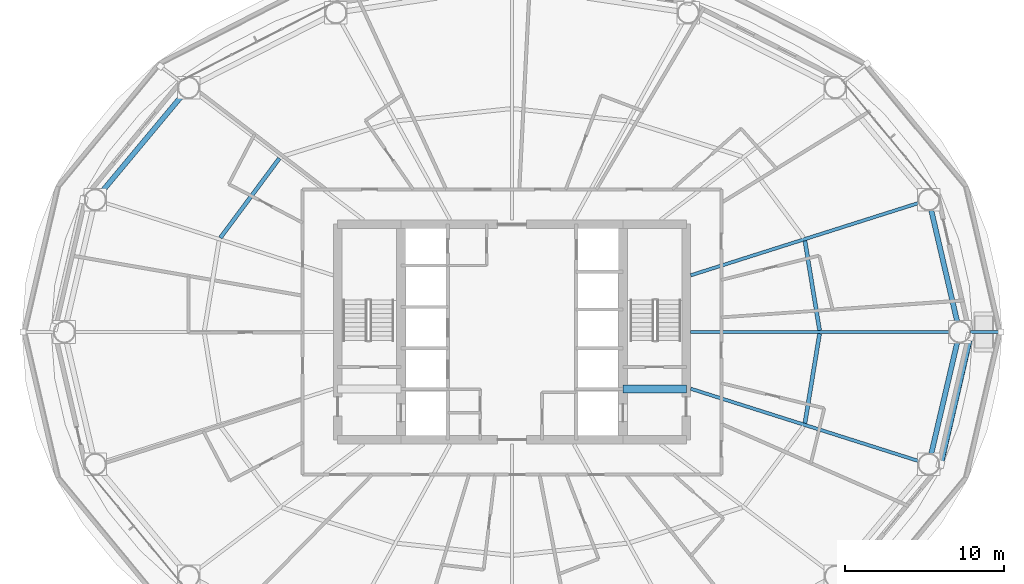
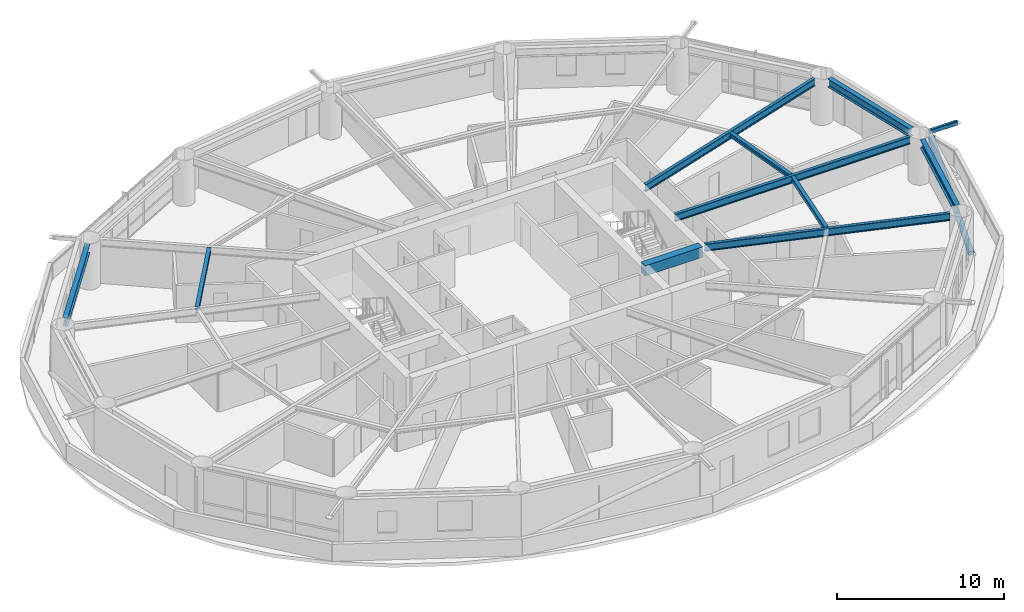
# One storey, part 7 of 25: 10 beams, 2 members.
"""IFC4 building model written with IfcOpenShell, lengths in metres."""

from ifc_helpers import new_model, si_unit, direction, frame, origin, origin_2d, place, context, subcontext, project, spatial, rectangle, hollow_rectangle, hollow_circle, i_section, extrude, material, material_profile, profile_set, type_object, element, save


model = new_model("IFC4")

# Units and contexts
model_context = context("Model", 3, precision=1e-05, world=origin(), true_north=direction((0.0, 1.0)))
body_context = subcontext(model_context, "Body", "Model", "MODEL_VIEW")
ifc_project = project(units=[si_unit("LENGTHUNIT", "METRE"), si_unit("AREAUNIT", "SQUARE_METRE"), si_unit("VOLUMEUNIT", "CUBIC_METRE"), si_unit("PLANEANGLEUNIT", "RADIAN"), si_unit("MASSUNIT", "GRAM", prefix="KILO")], contexts=[model_context])

# Site, building, storey
site_placement = place(None, origin())
site = spatial("IfcSite", under=ifc_project, at=site_placement, CompositionType="ELEMENT")
building_placement = place(site_placement, origin())
building = spatial("IfcBuilding", under=site, at=building_placement, Name="Sarneth Arch Tower", CompositionType="ELEMENT")
storey_placement = place(building_placement, frame((0.0, 0.0, 84.0)))
storey = spatial("IfcBuildingStorey", under=building, at=storey_placement, Name="L20", CompositionType="ELEMENT", Elevation=84.0)

# Beams
ifc_material_1 = material(Name="Steel S355", Category="steel")
ifc_material_profile_1 = material_profile(ifc_material_1, i_section(OverallWidth=0.25390625, OverallDepth=0.305908203125, WebThickness=0.0087890625, FlangeThickness=0.0146484375, FilletRadius=0.014892578125, at=origin_2d()), Name="W310x79")
ifc_profile_set_1 = profile_set([ifc_material_profile_1], Name="Steel S355")
beam_type_1 = type_object("IfcBeamType", Name="BM-JOIST-310A", PredefinedType="JOIST", material=ifc_profile_set_1)
beam_1_placement = place(storey_placement, frame((67.4013671875, 42.10400390625, 3.22705078125), z_axis=(-0.16120310833, 0.986921252109, 0.0), x_axis=(-0.986921252109, -0.16120310833, 0.0)))
element("IfcBeam", 1, at=beam_1_placement, inside=storey, type_object=beam_type_1, Name="L20 Secondary floor joist 01", PredefinedType="JOIST", context=body_context, shape_type="SweptSolid", body=[
    extrude(i_section(OverallWidth=0.25390625, OverallDepth=0.305908203125, WebThickness=0.0087890625, FlangeThickness=0.0146484375, FilletRadius=0.014892578125, at=origin_2d()), origin(), (0.0, 0.0, 1.0), 5.724853515625),
])
beam_2_placement = place(storey_placement, frame((33.32666015625, 52.956787109375, 3.22705078125), z_axis=(-0.596354224217, -0.80272139579, 0.0), x_axis=(0.80272139579, -0.596354224217, 0.0)))
element("IfcBeam", 2, at=beam_2_placement, inside=storey, type_object=beam_type_1, Name="L20 Secondary floor joist 07", PredefinedType="JOIST", context=body_context, shape_type="SweptSolid", body=[
    extrude(i_section(OverallWidth=0.25390625, OverallDepth=0.305908203125, WebThickness=0.0087890625, FlangeThickness=0.0146484375, FilletRadius=0.014892578125, at=origin_2d()), origin(), (0.0, 0.0, 1.0), 6.246337890625),
])
beam_3_placement = place(storey_placement, frame((66.478515625, 36.24609375, 3.22705078125), z_axis=(0.16120310833, 0.986921252109, 0.0), x_axis=(-0.986921252109, 0.16120310833, 0.0)))
element("IfcBeam", 3, at=beam_3_placement, inside=storey, type_object=beam_type_1, Name="L20 Secondary floor joist 16", PredefinedType="JOIST", context=body_context, shape_type="SweptSolid", body=[
    extrude(i_section(OverallWidth=0.25390625, OverallDepth=0.305908203125, WebThickness=0.0087890625, FlangeThickness=0.0146484375, FilletRadius=0.014892578125, at=origin_2d()), origin(), (0.0, 0.0, 1.0), 5.724853515625),
])
ifc_material_2 = material(Name="Concrete C50/60", Category="concrete")
ifc_material_profile_2 = material_profile(ifc_material_2, rectangle(XDim=0.5, YDim=0.75, at=origin_2d()), Name="RC-500x750")
ifc_profile_set_2 = profile_set([ifc_material_profile_2], Name="Concrete C50/60")
beam_type_2 = type_object("IfcBeamType", Name="BM-LINTEL-RC", PredefinedType="LINTEL", material=ifc_profile_set_2)
beam_4_placement = place(storey_placement, frame((55.0, 38.39990234375, 3.0048828125), z_axis=(1.0, 0.0, 0.0), x_axis=(0.0, 1.0, 0.0)))
element("IfcBeam", 4, at=beam_4_placement, inside=storey, type_object=beam_type_2, Name="L20 Core coupling lintel E", PredefinedType="LINTEL", context=body_context, shape_type="SweptSolid", body=[
    extrude(rectangle(XDim=0.5, YDim=0.75, at=origin_2d()), origin(), (0.0, 0.0, 1.0), 4.0),
])
ifc_material_3 = material(Name="Steel S355", Category="steel")
ifc_material_profile_3 = material_profile(ifc_material_3, i_section(OverallWidth=0.2109375, OverallDepth=0.5390625, WebThickness=0.01171875, FlangeThickness=0.018798828125, FilletRadius=0.01806640625, at=origin_2d()), Name="W530x109")
ifc_profile_set_3 = profile_set([ifc_material_profile_3], Name="Steel S355")
beam_type_3 = type_object("IfcBeamType", Name="BM-RAD-530B", PredefinedType="BEAM", material=ifc_profile_set_3)
beam_5_placement = place(storey_placement, frame((59.27490234375, 42.0, 3.110595703125), z_axis=(1.0, 0.0, 0.0), x_axis=(0.0, 1.0, 0.0)))
element("IfcBeam", 5, at=beam_5_placement, inside=storey, type_object=beam_type_3, Name="L20 Radial floor girder 01", PredefinedType="BEAM", context=body_context, shape_type="SweptSolid", body=[
    extrude(i_section(OverallWidth=0.2109375, OverallDepth=0.5390625, WebThickness=0.01171875, FlangeThickness=0.018798828125, FilletRadius=0.01806640625, at=origin_2d()), origin(), (0.0, 0.0, 1.0), 16.28662109375),
])
for number, where, z_axis, x_axis, name in (
    (6, (59.27490234375, 45.57763671875, 3.110595703125), (0.95316257761, 0.302458427958, 0.0), (-0.302458427958, 0.95316257761, 0.0), "L20 Radial floor girder 02"),
    (7, (59.27490234375, 38.42236328125, 3.110595703125), (0.95316257761, -0.302458427958, 0.0), (0.302458427958, 0.95316257761, 0.0), "L20 Radial floor girder 16"),
):
    element("IfcBeam", number, at=place(storey_placement, frame(where, z_axis=z_axis, x_axis=x_axis)), inside=storey, type_object=beam_type_3, Name=name, PredefinedType="BEAM", context=body_context, shape_type="SweptSolid", body=[
        extrude(i_section(OverallWidth=0.2109375, OverallDepth=0.5390625, WebThickness=0.01171875, FlangeThickness=0.018798828125, FilletRadius=0.01806640625, at=origin_2d()), origin(), (0.0, 0.0, 1.0), 15.0791015625),
    ])
ifc_material_4 = material(Name="Steel S355", Category="steel")
ifc_material_profile_4 = material_profile(ifc_material_4, i_section(OverallWidth=0.323974609375, OverallDepth=0.611083984375, WebThickness=0.0126953125, FlangeThickness=0.01904296875, FilletRadius=0.01904296875, at=origin_2d()), Name="W610x155")
ifc_profile_set_4 = profile_set([ifc_material_profile_4], Name="Steel S355")
beam_type_4 = type_object("IfcBeamType", Name="BM-SPAN-610B", PredefinedType="SPANDREL", material=ifc_profile_set_4)
beam_6_placement = place(storey_placement, frame((76.083251953125, 42.657470703125, 3.074462890625), z_axis=(-0.22708522689, 0.973874889156, 0.0), x_axis=(-0.973874889156, -0.22708522689, 0.0)))
element("IfcBeam", 8, at=beam_6_placement, inside=storey, type_object=beam_type_4, Name="L20 Perimeter spandrel beam 01", PredefinedType="SPANDREL", context=body_context, shape_type="SweptSolid", body=[
    extrude(i_section(OverallWidth=0.323974609375, OverallDepth=0.611083984375, WebThickness=0.0126953125, FlangeThickness=0.01904296875, FilletRadius=0.01904296875, at=origin_2d()), origin(), (0.0, 0.0, 1.0), 7.216064453125),
])
beam_7_placement = place(storey_placement, frame((27.170166015625, 56.896484375, 3.074462890625), z_axis=(-0.640169116175, -0.768234015581, 0.0), x_axis=(0.768234015581, -0.640169116175, 0.0)))
element("IfcBeam", 9, at=beam_7_placement, inside=storey, type_object=beam_type_4, Name="L20 Perimeter spandrel beam 07", PredefinedType="SPANDREL", context=body_context, shape_type="SweptSolid", body=[
    extrude(i_section(OverallWidth=0.323974609375, OverallDepth=0.611083984375, WebThickness=0.0126953125, FlangeThickness=0.01904296875, FilletRadius=0.01904296875, at=origin_2d()), origin(), (0.0, 0.0, 1.0), 7.856201171875),
])
beam_8_placement = place(storey_placement, frame((74.444580078125, 34.31494140625, 3.074462890625), z_axis=(0.22708522689, 0.973874889156, 0.0), x_axis=(-0.973874889156, 0.22708522689, 0.0)))
element("IfcBeam", 10, at=beam_8_placement, inside=storey, type_object=beam_type_4, Name="L20 Perimeter spandrel beam 16", PredefinedType="SPANDREL", context=body_context, shape_type="SweptSolid", body=[
    extrude(i_section(OverallWidth=0.323974609375, OverallDepth=0.611083984375, WebThickness=0.0126953125, FlangeThickness=0.01904296875, FilletRadius=0.01904296875, at=origin_2d()), origin(), (0.0, 0.0, 1.0), 7.216064453125),
])

# Members
ifc_material_5 = material(Name="Steel S355", Category="steel")
ifc_material_profile_5 = material_profile(ifc_material_5, hollow_rectangle(XDim=0.199951171875, YDim=0.300048828125, WallThickness=0.012451171875, InnerFilletRadius=0.018798828125, OuterFilletRadius=0.03125, at=origin_2d()), Name="RHS300x200x12.5")
ifc_profile_set_5 = profile_set([ifc_material_profile_5], Name="Steel S355")
member_type_1 = type_object("IfcMemberType", Name="MEM-CANT-STRUT", PredefinedType="STRUT", material=ifc_profile_set_5)
member_1_placement = place(storey_placement, frame((76.91162109375, 42.0, 3.219970703125), z_axis=(1.0, 0.0, 0.0), x_axis=(0.0, 1.0, 0.0)))
element("IfcMember", 11, at=member_1_placement, inside=storey, type_object=member_type_1, Name="L20 Balcony cantilever bracket 01", PredefinedType="STRUT", context=body_context, shape_type="SweptSolid", body=[
    extrude(hollow_rectangle(XDim=0.199951171875, YDim=0.300048828125, WallThickness=0.012451171875, InnerFilletRadius=0.018798828125, OuterFilletRadius=0.03125, at=origin_2d()), origin(), (0.0, 0.0, 1.0), 1.93310546875),
])
ifc_material_6 = material(Name="Steel S355", Category="steel")
ifc_material_profile_6 = material_profile(ifc_material_6, hollow_circle(Radius=0.202880859375, WallThickness=0.01611328125, at=origin_2d()), Name="CHS406x16")
ifc_profile_set_6 = profile_set([ifc_material_profile_6], Name="Steel S355")
member_type_2 = type_object("IfcMemberType", Name="MEM-DIAG-BR2", PredefinedType="BRACE", material=ifc_profile_set_6)
member_2_placement = place(storey_placement, frame((75.01953125, 33.67041015625, 0.02001953125), z_axis=(0.21184573702, 0.915846816603, 0.341095283204), x_axis=(-0.974275349464, 0.225360918143, 0.0)))
element("IfcMember", 12, at=member_2_placement, inside=storey, type_object=member_type_2, Name="L20 Perimeter frame diagonal 16", PredefinedType="BRACE", context=body_context, shape_type="SweptSolid", body=[
    extrude(hollow_circle(Radius=0.202880859375, WallThickness=0.01611328125, at=origin_2d()), origin(), (0.0, 0.0, 1.0), 8.77587890625),
])

save(model, "model.ifc")
